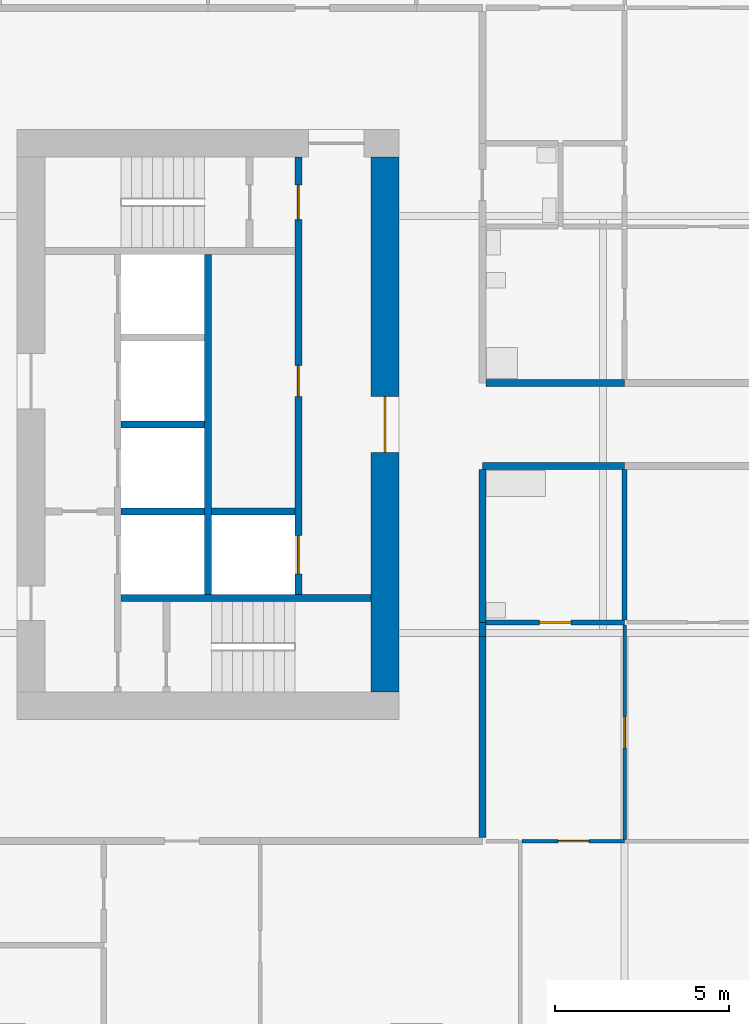
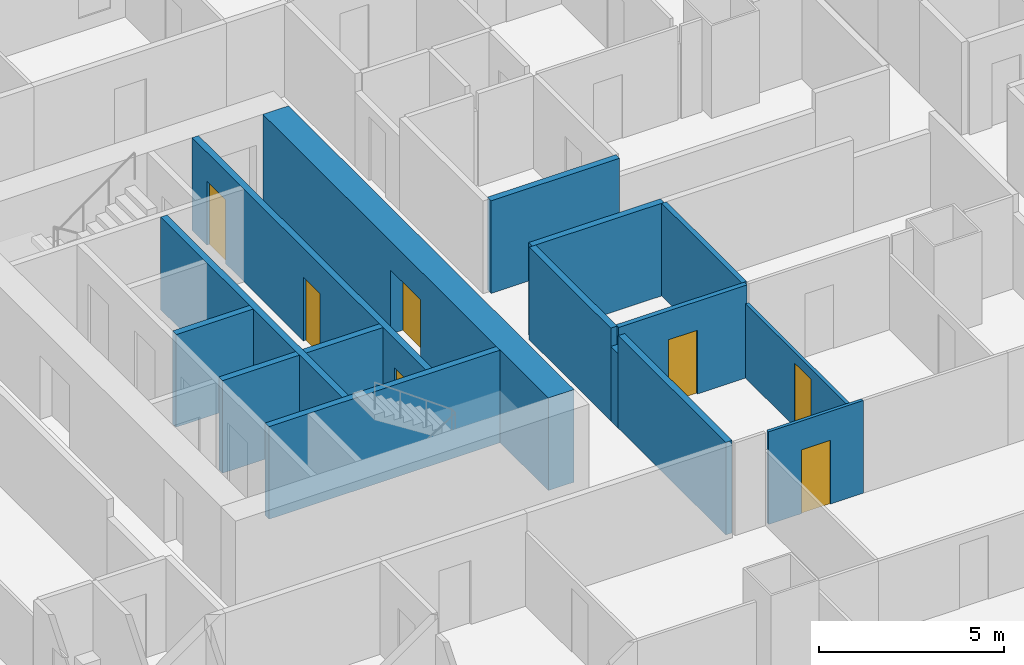
# One storey, part 4 of 14: 16 walls, 7 doors, 7 openings.
"""IFC4 building model written with IfcOpenShell, lengths in metres."""

from ifc_helpers import new_model, si_unit, direction, frame, frame_2d, origin, place, context, subcontext, project, spatial, rectangle, extrude, material, layer, layer_set, type_object, element, fill, save


model = new_model("IFC4")

# Units and contexts
model_context = context("Model", 3, precision=1e-05, world=origin(), true_north=direction((0.0, 1.0)))
body_context = subcontext(model_context, "Body", "Model", "MODEL_VIEW")
ifc_project = project(units=[si_unit("LENGTHUNIT", "METRE"), si_unit("AREAUNIT", "SQUARE_METRE"), si_unit("VOLUMEUNIT", "CUBIC_METRE"), si_unit("PLANEANGLEUNIT", "RADIAN"), si_unit("MASSUNIT", "GRAM", prefix="KILO")], contexts=[model_context])

# Site, building, storey
site_placement = place(None, origin())
site = spatial("IfcSite", under=ifc_project, at=site_placement, CompositionType="ELEMENT")
building_placement = place(site_placement, origin())
building = spatial("IfcBuilding", under=site, at=building_placement, Name="Kitamizu Gate Tower and Museum", CompositionType="ELEMENT")
storey_placement = place(building_placement, frame((0.0, 0.0, 85.199951171875)))
storey = spatial("IfcBuildingStorey", under=building, at=storey_placement, Name="L21", CompositionType="ELEMENT", Elevation=85.199951171875)

# Wall, opening, door
ifc_material_1 = material(Name="Concrete Fc60", Category="concrete")
ifc_layer_1 = layer(ifc_material_1, 0.800048828125)
ifc_layer_set_1 = layer_set([ifc_layer_1], Name="Concrete Fc60")
wall_type_1 = type_object("IfcWallType", Name="Core wall 800", PredefinedType="SHEAR", material=ifc_layer_set_1)
wall_1_placement = place(storey_placement, frame((23.10009765625, 22.300048828125, 0.0), z_axis=(0.0, 0.0, 1.0), x_axis=(0.0, 1.0, 0.0)))
wall_1 = element("IfcWall", 1, at=wall_1_placement, inside=storey, type_object=wall_type_1, Name="Core wall WARC", PredefinedType="SHEAR", context=body_context, shape_type="SweptSolid", body=[
    extrude(rectangle(XDim=15.39990234375, YDim=0.800048828125, at=frame_2d((7.699951171875, 0.0))), origin(), (0.0, 0.0, 1.0), 3.050048828125),
])
opening_1_placement = place(wall_1_placement, frame((6.89990234375, 0.0, 0.0)))
opening_1 = element("IfcOpeningElement", 2, at=opening_1_placement, cuts=wall_1, Name="Opening L21-084", PredefinedType="OPENING", context=body_context, shape_type="SweptSolid", body=[
    extrude(rectangle(XDim=1.60009765625, YDim=2.10009765625, at=frame_2d((0.800048828125, 1.050048828125))), frame((0.0, 0.41015625, 0.0), z_axis=(0.0, -1.0, 0.0), x_axis=(1.0, 0.0, 0.0)), (0.0, 0.0, 1.0), 0.820068359375),
])
ifc_material_2 = material(Name="Timber door set", Category="wood")
door_type_1 = type_object("IfcDoorType", Name="Entrance door 1600", OperationType="DOUBLE_DOOR_SINGLE_SWING", PredefinedType="DOOR", material=ifc_material_2)
door_1_placement = place(opening_1_placement, origin())
door_1 = element("IfcDoor", 3, at=door_1_placement, inside=storey, type_object=door_type_1, Name="Lobby door L21-084", OperationType="DOUBLE_DOOR_SINGLE_SWING", OverallHeight=2.10009765625, OverallWidth=1.60009765625, PredefinedType="DOOR", context=body_context, shape_type="SweptSolid", body=[
    extrude(rectangle(XDim=1.60009765625, YDim=2.10009765625, at=frame_2d((0.800048828125, 1.050048828125))), frame((0.0, 0.02490234375, 0.0), z_axis=(0.0, -1.0, 0.0), x_axis=(1.0, 0.0, 0.0)), (0.0, 0.0, 1.0), 0.050048828125),
])
fill(opening_1, door_1)

ifc_material_3 = material(Name="Gypsum board on galvanised stud")
ifc_layer_2 = layer(ifc_material_3, 0.10009765625)
ifc_layer_set_2 = layer_set([ifc_layer_2], Name="Gypsum board on galvanised stud")
wall_type_2 = type_object("IfcWallType", Name="Partition 100 NOT RATED", PredefinedType="PARTITIONING", material=ifc_layer_set_2)
wall_2_placement = place(storey_placement, frame((30.0, 18.0, 0.0), z_axis=(0.0, 0.0, 1.0), x_axis=(-1.0, 0.0, 0.0)))
wall_2 = element("IfcWall", 4, at=wall_2_placement, inside=storey, type_object=wall_type_2, Name="Partition L21-043", PredefinedType="PARTITIONING", context=body_context, shape_type="SweptSolid", body=[
    extrude(rectangle(XDim=2.949951171875, YDim=0.10009765625, at=frame_2d((1.47509765625, 0.0))), origin(), (0.0, 0.0, 1.0), 3.050048828125),
])
opening_2_placement = place(wall_2_placement, frame((1.02490234375, 0.0, 0.0)))
opening_2 = element("IfcOpeningElement", 5, at=opening_2_placement, cuts=wall_2, Name="Opening L21-016", PredefinedType="OPENING", context=body_context, shape_type="SweptSolid", body=[
    extrude(rectangle(XDim=0.89990234375, YDim=2.10009765625, at=frame_2d((0.449951171875, 1.050048828125))), frame((0.0, 0.06005859375, 0.0), z_axis=(0.0, -1.0, 0.0), x_axis=(1.0, 0.0, 0.0)), (0.0, 0.0, 1.0), 0.1201171875),
])
ifc_material_4 = material(Name="Timber door set", Category="wood")
door_type_2 = type_object("IfcDoorType", Name="Room door 900", OperationType="NOTDEFINED", PredefinedType="DOOR", material=ifc_material_4)
door_2_placement = place(opening_2_placement, frame((0.89990234375, 0.0, 0.0), x_axis=(-1.0, 0.0, 0.0)))
door_2 = element("IfcDoor", 6, at=door_2_placement, inside=storey, type_object=door_type_2, Name="Door L21-016", OperationType="SINGLE_SWING_LEFT", OverallHeight=2.10009765625, OverallWidth=0.89990234375, PredefinedType="DOOR", context=body_context, shape_type="SweptSolid", body=[
    extrude(rectangle(XDim=0.89990234375, YDim=2.10009765625, at=frame_2d((0.449951171875, 1.050048828125))), frame((0.0, 0.02490234375, 0.0), z_axis=(0.0, -1.0, 0.0), x_axis=(1.0, 0.0, 0.0)), (0.0, 0.0, 1.0), 0.050048828125),
])
fill(opening_2, door_2)

wall_3_placement = place(storey_placement, frame((30.0, 18.050048828125, 0.0), z_axis=(0.0, 0.0, 1.0), x_axis=(0.0, 1.0, 0.0)))
wall_3 = element("IfcWall", 7, at=wall_3_placement, inside=storey, type_object=wall_type_2, Name="Partition L21-047", PredefinedType="PARTITIONING", context=body_context, shape_type="SweptSolid", body=[
    extrude(rectangle(XDim=6.175048828125, YDim=0.10009765625, at=frame_2d((3.08740234375, 0.0))), origin(), (0.0, 0.0, 1.0), 2.449951171875),
])
opening_3_placement = place(wall_3_placement, frame((2.637451171875, 0.0, 0.0)))
opening_3 = element("IfcOpeningElement", 8, at=opening_3_placement, cuts=wall_3, Name="Opening L21-017", PredefinedType="OPENING", context=body_context, shape_type="SweptSolid", body=[
    extrude(rectangle(XDim=0.89990234375, YDim=2.10009765625, at=frame_2d((0.449951171875, 1.050048828125))), frame((0.0, 0.06005859375, 0.0), z_axis=(0.0, -1.0, 0.0), x_axis=(1.0, 0.0, 0.0)), (0.0, 0.0, 1.0), 0.1201171875),
])
door_3_placement = place(opening_3_placement, origin())
door_3 = element("IfcDoor", 9, at=door_3_placement, inside=storey, type_object=door_type_2, Name="Door L21-017", OperationType="SINGLE_SWING_LEFT", OverallHeight=2.10009765625, OverallWidth=0.89990234375, PredefinedType="DOOR", context=body_context, shape_type="SweptSolid", body=[
    extrude(rectangle(XDim=0.89990234375, YDim=2.10009765625, at=frame_2d((0.449951171875, 1.050048828125))), frame((0.0, 0.02490234375, 0.0), z_axis=(0.0, -1.0, 0.0), x_axis=(1.0, 0.0, 0.0)), (0.0, 0.0, 1.0), 0.050048828125),
])
fill(opening_3, door_3)

ifc_material_5 = material(Name="Gypsum board on galvanised stud")
ifc_layer_3 = layer(ifc_material_5, 0.14990234375)
ifc_layer_set_3 = layer_set([ifc_layer_3], Name="Gypsum board on galvanised stud")
wall_type_3 = type_object("IfcWallType", Name="Partition 150", PredefinedType="PARTITIONING", material=ifc_layer_set_3)
wall_4_placement = place(storey_placement, frame((30.0, 24.300048828125, 0.0), z_axis=(0.0, 0.0, 1.0), x_axis=(-1.0, 0.0, 0.0)))
wall_4 = element("IfcWall", 10, at=wall_4_placement, inside=storey, type_object=wall_type_3, Name="Partition L21-048", PredefinedType="PARTITIONING", context=body_context, shape_type="SweptSolid", body=[
    extrude(rectangle(XDim=4.0, YDim=0.14990234375, at=frame_2d((2.0, 0.0))), origin(), (0.0, 0.0, 1.0), 3.050048828125),
])
opening_4_placement = place(wall_4_placement, frame((1.550048828125, 0.0, 0.0)))
opening_4 = element("IfcOpeningElement", 11, at=opening_4_placement, cuts=wall_4, Name="Opening L21-019", PredefinedType="OPENING", context=body_context, shape_type="SweptSolid", body=[
    extrude(rectangle(XDim=0.89990234375, YDim=2.10009765625, at=frame_2d((0.449951171875, 1.050048828125))), frame((0.0, 0.0849609375, 0.0), z_axis=(0.0, -1.0, 0.0), x_axis=(1.0, 0.0, 0.0)), (0.0, 0.0, 1.0), 0.169921875),
])
ifc_material_6 = material(Name="Timber door set", Category="wood")
door_type_3 = type_object("IfcDoorType", Name="Bathroom door 900", OperationType="NOTDEFINED", PredefinedType="DOOR", material=ifc_material_6)
door_4_placement = place(opening_4_placement, frame((0.89990234375, 0.0, 0.0), x_axis=(-1.0, 0.0, 0.0)))
door_4 = element("IfcDoor", 12, at=door_4_placement, inside=storey, type_object=door_type_3, Name="Bathroom door L21-019", OperationType="SINGLE_SWING_RIGHT", OverallHeight=2.10009765625, OverallWidth=0.89990234375, PredefinedType="DOOR", context=body_context, shape_type="SweptSolid", body=[
    extrude(rectangle(XDim=0.89990234375, YDim=2.10009765625, at=frame_2d((0.449951171875, 1.050048828125))), frame((0.0, 0.02490234375, 0.0), z_axis=(0.0, -1.0, 0.0), x_axis=(1.0, 0.0, 0.0)), (0.0, 0.0, 1.0), 0.050048828125),
])
fill(opening_4, door_4)

# Walls
wall_5_placement = place(storey_placement, frame((30.0, 24.375, 0.0), z_axis=(0.0, 0.0, 1.0), x_axis=(0.0, 1.0, 0.0)))
element("IfcWall", 13, at=wall_5_placement, inside=storey, type_object=wall_type_3, Name="Partition L21-057", PredefinedType="PARTITIONING", context=body_context, shape_type="SweptSolid", body=[
    extrude(rectangle(XDim=4.324951171875, YDim=0.14990234375, at=frame_2d((2.16259765625, 0.0))), origin(), (0.0, 0.0, 1.0), 3.050048828125),
])
ifc_material_7 = material(Name="Gypsum board on galvanised stud")
ifc_layer_4 = layer(ifc_material_7, 0.199951171875)
ifc_layer_set_4 = layer_set([ifc_layer_4], Name="Gypsum board on galvanised stud")
wall_type_4 = type_object("IfcWallType", Name="Partition 200", PredefinedType="PARTITIONING", material=ifc_layer_set_4)
wall_6_placement = place(storey_placement, frame((25.89990234375, 24.300048828125, 0.0), z_axis=(0.0, 0.0, 1.0), x_axis=(0.0, -1.0, 0.0)))
element("IfcWall", 14, at=wall_6_placement, inside=storey, type_object=wall_type_4, Name="Partition L21-049", PredefinedType="PARTITIONING", context=body_context, shape_type="SweptSolid", body=[
    extrude(rectangle(XDim=0.400146484375, YDim=0.199951171875, at=frame_2d((0.2001953125, 0.0))), origin(), (0.0, 0.0, 1.0), 2.449951171875),
])
wall_7_placement = place(storey_placement, frame((25.89990234375, 23.89990234375, 0.0), z_axis=(0.0, 0.0, 1.0), x_axis=(0.0, -1.0, 0.0)))
element("IfcWall", 15, at=wall_7_placement, inside=storey, type_object=wall_type_4, Name="Partition L21-050", PredefinedType="PARTITIONING", context=body_context, shape_type="SweptSolid", body=[
    extrude(rectangle(XDim=5.7998046875, YDim=0.199951171875, at=frame_2d((2.89990234375, 0.0))), origin(), (0.0, 0.0, 1.0), 3.050048828125),
])
wall_8_placement = place(storey_placement, frame((30.0, 28.800048828125, 0.0), z_axis=(0.0, 0.0, 1.0), x_axis=(-1.0, 0.0, 0.0)))
element("IfcWall", 16, at=wall_8_placement, inside=storey, type_object=wall_type_4, Name="Partition L21-058", PredefinedType="PARTITIONING", context=body_context, shape_type="SweptSolid", body=[
    extrude(rectangle(XDim=4.10009765625, YDim=0.199951171875, at=frame_2d((2.050048828125, 0.0))), origin(), (0.0, 0.0, 1.0), 3.050048828125),
])
wall_9_placement = place(storey_placement, frame((25.89990234375, 28.699951171875, 0.0), z_axis=(0.0, 0.0, 1.0), x_axis=(0.0, -1.0, 0.0)))
element("IfcWall", 17, at=wall_9_placement, inside=storey, type_object=wall_type_4, Name="Partition L21-059", PredefinedType="PARTITIONING", context=body_context, shape_type="SweptSolid", body=[
    extrude(rectangle(XDim=4.39990234375, YDim=0.199951171875, at=frame_2d((2.199951171875, 0.0))), origin(), (0.0, 0.0, 1.0), 3.050048828125),
])
wall_10_placement = place(storey_placement, frame((26.0, 31.199951171875, 0.0), z_axis=(0.0, 0.0, 1.0), x_axis=(1.0, 0.0, 0.0)))
element("IfcWall", 18, at=wall_10_placement, inside=storey, type_object=wall_type_4, Name="Partition L21-117", PredefinedType="PARTITIONING", context=body_context, shape_type="SweptSolid", body=[
    extrude(rectangle(XDim=4.0, YDim=0.199951171875, at=frame_2d((2.0, 0.0))), origin(), (0.0, 0.0, 1.0), 3.050048828125),
])

# Wall, openings, doors
ifc_material_8 = material(Name="Concrete Fc42", Category="concrete")
ifc_layer_5 = layer(ifc_material_8, 0.199951171875)
ifc_layer_set_5 = layer_set([ifc_layer_5], Name="Concrete Fc42")
wall_type_5 = type_object("IfcWallType", Name="Shaft wall 200", PredefinedType="SOLIDWALL", material=ifc_layer_set_5)
wall_11_placement = place(storey_placement, frame((20.60009765625, 25.10009765625, 0.0), z_axis=(0.0, 0.0, 1.0), x_axis=(0.0, 1.0, 0.0)))
wall_11 = element("IfcWall", 19, at=wall_11_placement, inside=storey, type_object=wall_type_5, Name="Shaft wall WEAST", PredefinedType="SOLIDWALL", context=body_context, shape_type="SweptSolid", body=[
    extrude(rectangle(XDim=12.599853515625, YDim=0.199951171875, at=frame_2d((6.2998046875, 0.0))), origin(), (0.0, 0.0, 1.0), 3.050048828125),
])
opening_5_placement = place(wall_11_placement, frame((0.60009765625, 0.0, 0.0)))
opening_5 = element("IfcOpeningElement", 20, at=opening_5_placement, cuts=wall_11, Name="Opening LD", PredefinedType="OPENING", context=body_context, shape_type="SweptSolid", body=[
    extrude(rectangle(XDim=1.10009765625, YDim=2.10009765625, at=frame_2d((0.550048828125, 1.050048828125))), frame((0.0, 0.10986328125, 0.0), z_axis=(0.0, -1.0, 0.0), x_axis=(1.0, 0.0, 0.0)), (0.0, 0.0, 1.0), 0.219970703125),
])
opening_6_placement = place(wall_11_placement, frame((10.800048828125, 0.0, 0.0)))
opening_6 = element("IfcOpeningElement", 21, at=opening_6_placement, cuts=wall_11, Name="Opening L21-078", PredefinedType="OPENING", context=body_context, shape_type="SweptSolid", body=[
    extrude(rectangle(XDim=1.0, YDim=2.10009765625, at=frame_2d((0.5, 1.050048828125))), frame((0.0, 0.10986328125, 0.0), z_axis=(0.0, -1.0, 0.0), x_axis=(1.0, 0.0, 0.0)), (0.0, 0.0, 1.0), 0.219970703125),
])
opening_7_placement = place(wall_11_placement, frame((5.699951171875, 0.0, 0.0)))
opening_7 = element("IfcOpeningElement", 22, at=opening_7_placement, cuts=wall_11, Name="Opening L21-085", PredefinedType="OPENING", context=body_context, shape_type="SweptSolid", body=[
    extrude(rectangle(XDim=0.89990234375, YDim=2.10009765625, at=frame_2d((0.449951171875, 1.050048828125))), frame((0.0, 0.10986328125, 0.0), z_axis=(0.0, -1.0, 0.0), x_axis=(1.0, 0.0, 0.0)), (0.0, 0.0, 1.0), 0.219970703125),
])
ifc_material_9 = material(Name="Hollow metal door set")
door_type_4 = type_object("IfcDoorType", Name="Fire door 1000", OperationType="NOTDEFINED", PredefinedType="DOOR", material=ifc_material_9)
door_5_placement = place(opening_6_placement, origin())
door_5 = element("IfcDoor", 23, at=door_5_placement, inside=storey, type_object=door_type_4, Name="Stair lobby door L21-078", OperationType="SINGLE_SWING_RIGHT", OverallHeight=2.10009765625, OverallWidth=1.0, PredefinedType="DOOR", context=body_context, shape_type="SweptSolid", body=[
    extrude(rectangle(XDim=1.0, YDim=2.10009765625, at=frame_2d((0.5, 1.050048828125))), frame((0.0, 0.02490234375, 0.0), z_axis=(0.0, -1.0, 0.0), x_axis=(1.0, 0.0, 0.0)), (0.0, 0.0, 1.0), 0.050048828125),
])
fill(opening_6, door_5)
ifc_material_10 = material(Name="Hollow metal door set")
door_type_5 = type_object("IfcDoorType", Name="Landing door 1100", OperationType="SLIDING_TO_LEFT", PredefinedType="DOOR", material=ifc_material_10)
door_6_placement = place(opening_5_placement, origin())
door_6 = element("IfcDoor", 24, at=door_6_placement, inside=storey, type_object=door_type_5, Name="Landing door WSV1", OperationType="SLIDING_TO_LEFT", OverallHeight=2.10009765625, OverallWidth=1.10009765625, PredefinedType="DOOR", context=body_context, shape_type="SweptSolid", body=[
    extrude(rectangle(XDim=1.10009765625, YDim=2.10009765625, at=frame_2d((0.550048828125, 1.050048828125))), frame((0.0, 0.02490234375, 0.0), z_axis=(0.0, -1.0, 0.0), x_axis=(1.0, 0.0, 0.0)), (0.0, 0.0, 1.0), 0.050048828125),
])
fill(opening_5, door_6)
ifc_material_11 = material(Name="Timber door set", Category="wood")
door_type_6 = type_object("IfcDoorType", Name="Service door 900", OperationType="NOTDEFINED", PredefinedType="DOOR", material=ifc_material_11)
door_7_placement = place(opening_7_placement, origin())
door_7 = element("IfcDoor", 25, at=door_7_placement, inside=storey, type_object=door_type_6, Name="Service door L21-085", OperationType="SINGLE_SWING_RIGHT", OverallHeight=2.10009765625, OverallWidth=0.89990234375, PredefinedType="DOOR", context=body_context, shape_type="SweptSolid", body=[
    extrude(rectangle(XDim=0.89990234375, YDim=2.10009765625, at=frame_2d((0.449951171875, 1.050048828125))), frame((0.0, 0.02490234375, 0.0), z_axis=(0.0, -1.0, 0.0), x_axis=(1.0, 0.0, 0.0)), (0.0, 0.0, 1.0), 0.050048828125),
])
fill(opening_7, door_7)

# Walls
wall_12_placement = place(storey_placement, frame((18.0, 25.10009765625, 0.0), z_axis=(0.0, 0.0, 1.0), x_axis=(0.0, 1.0, 0.0)))
element("IfcWall", 26, at=wall_12_placement, inside=storey, type_object=wall_type_5, Name="Shaft wall WMID", PredefinedType="SOLIDWALL", context=body_context, shape_type="SweptSolid", body=[
    extrude(rectangle(XDim=9.7998046875, YDim=0.199951171875, at=frame_2d((4.89990234375, 0.0))), origin(), (0.0, 0.0, 1.0), 3.050048828125),
])
wall_13_placement = place(storey_placement, frame((15.5, 25.0, 0.0), z_axis=(0.0, 0.0, 1.0), x_axis=(1.0, 0.0, 0.0)))
element("IfcWall", 27, at=wall_13_placement, inside=storey, type_object=wall_type_5, Name="Shaft wall WSB", PredefinedType="SOLIDWALL", context=body_context, shape_type="SweptSolid", body=[
    extrude(rectangle(XDim=7.199951171875, YDim=0.199951171875, at=frame_2d((3.60009765625, 0.0))), origin(), (0.0, 0.0, 1.0), 3.050048828125),
])
for number, where, z_axis, x_axis, name in (
    (28, (15.5, 27.5, 0.0), (0.0, 0.0, 1.0), (1.0, 0.0, 0.0), "Shaft wall WDVW0"),
    (29, (15.5, 30.0, 0.0), (0.0, 0.0, 1.0), (1.0, 0.0, 0.0), "Shaft wall WDVW1"),
    (30, (18.10009765625, 27.5, 0.0), (0.0, 0.0, 1.0), (1.0, 0.0, 0.0), "Shaft wall WDVE0"),
):
    element("IfcWall", number, at=place(storey_placement, frame(where, z_axis=z_axis, x_axis=x_axis)), inside=storey, type_object=wall_type_5, Name=name, PredefinedType="SOLIDWALL", context=body_context, shape_type="SweptSolid", body=[
        extrude(rectangle(XDim=2.39990234375, YDim=0.199951171875, at=frame_2d((1.199951171875, 0.0))), origin(), (0.0, 0.0, 1.0), 3.050048828125),
    ])

save(model, "model.ifc")
